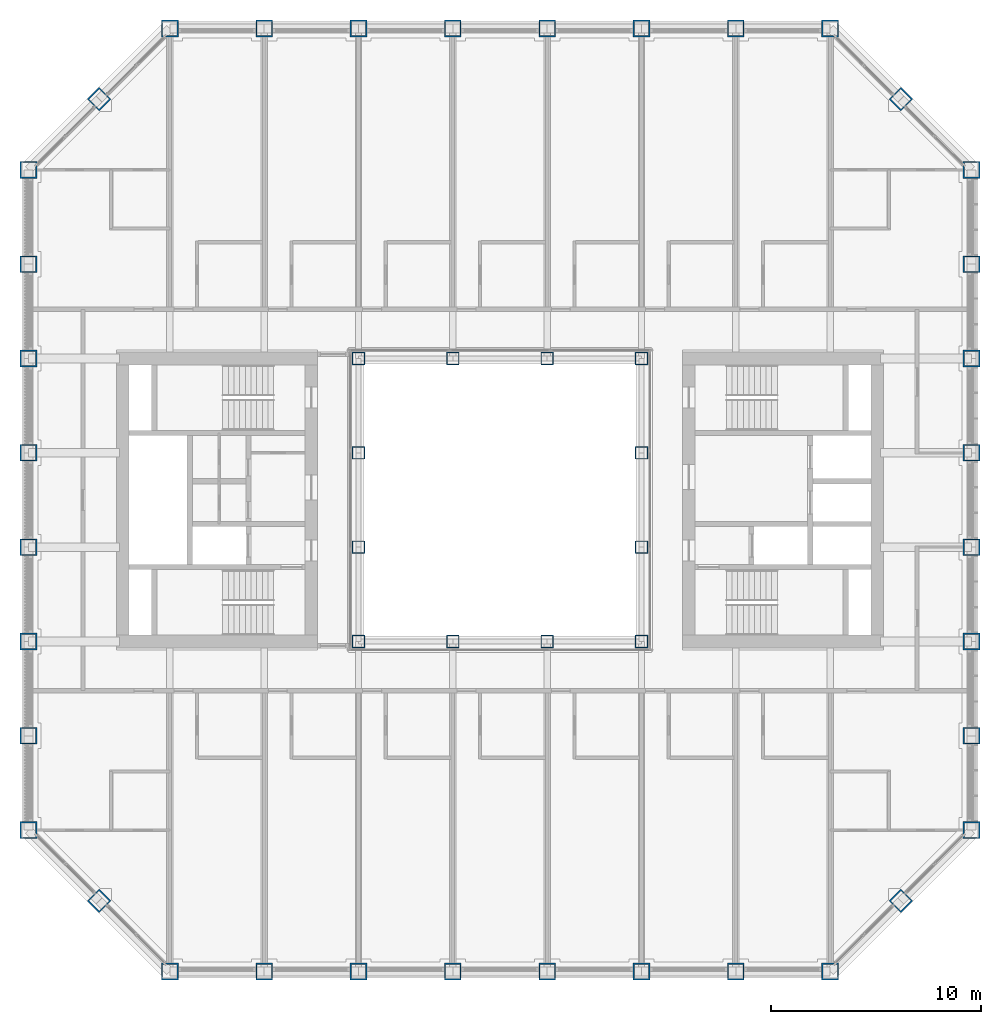
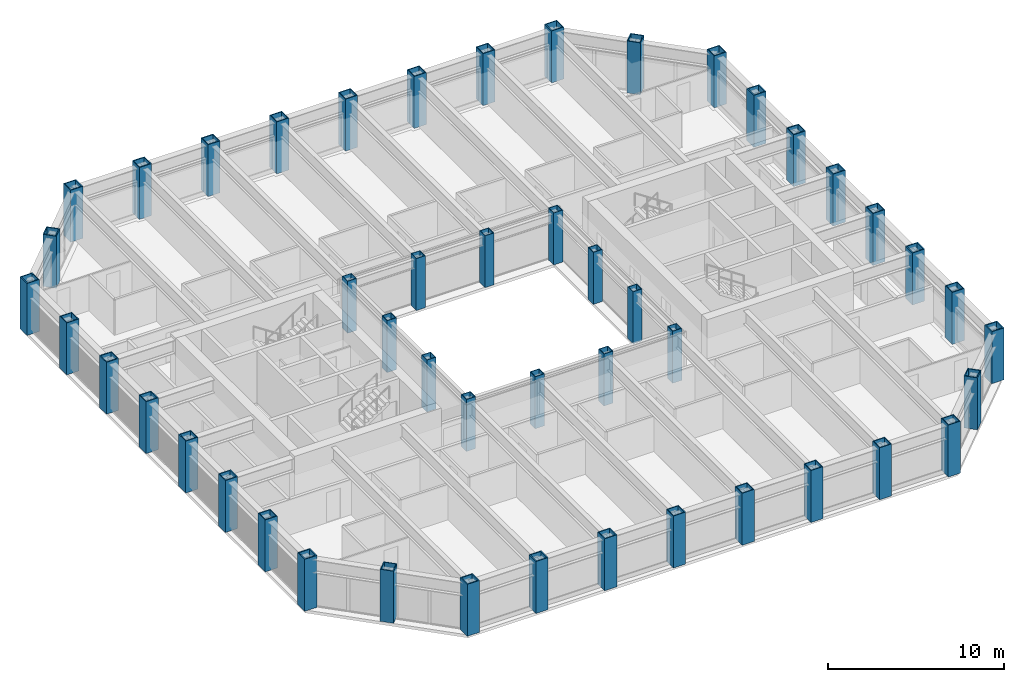
# One storey, part 1 of 18: 48 columns.
"""IFC4 building model written with IfcOpenShell, lengths in metres."""

from ifc_helpers import new_model, si_unit, direction, frame, origin, origin_2d, place, context, subcontext, project, spatial, hollow_rectangle, extrude, material, material_profile, profile_set, type_object, element, save


model = new_model("IFC4")

# Units and contexts
model_context = context("Model", 3, precision=1e-05, world=origin(), true_north=direction((0.0, 1.0)))
body_context = subcontext(model_context, "Body", "Model", "MODEL_VIEW")
ifc_project = project(units=[si_unit("LENGTHUNIT", "METRE"), si_unit("AREAUNIT", "SQUARE_METRE"), si_unit("VOLUMEUNIT", "CUBIC_METRE"), si_unit("PLANEANGLEUNIT", "RADIAN"), si_unit("MASSUNIT", "GRAM", prefix="KILO")], contexts=[model_context])

# Site, building, storey
site_placement = place(None, origin())
site = spatial("IfcSite", under=ifc_project, at=site_placement, CompositionType="ELEMENT")
building_placement = place(site_placement, origin())
building = spatial("IfcBuilding", under=site, at=building_placement, Name="Msasa Ring Tower", CompositionType="ELEMENT")
storey_placement = place(building_placement, frame((0.0, 0.0, 125.60009765625)))
storey = spatial("IfcBuildingStorey", under=building, at=storey_placement, Name="L32", CompositionType="ELEMENT", Elevation=125.60009765625)

# Columns
ifc_material_1 = material(Name="Steel S355", Category="steel")
ifc_material_profile_1 = material_profile(ifc_material_1, hollow_rectangle(XDim=0.60009765625, YDim=0.60009765625, WallThickness=0.0400390625, at=origin_2d()), Name="BOX 600x600x40")
ifc_profile_set_1 = profile_set([ifc_material_profile_1], Name="Steel S355")
column_type_1 = type_object("IfcColumnType", Name="IC4 BOX 600x600x40", PredefinedType="COLUMN", material=ifc_profile_set_1)
for number, where, z_axis, x_axis, name in (
    (1, (-6.75, -6.75, 0.0), (0.0, 0.0, 1.0), (1.0, 0.0, 0.0), "Inner ring column IR-6.75-6.75 L32"),
    (2, (-6.75, -2.25, 0.0), (0.0, 0.0, 1.0), (1.0, 0.0, 0.0), "Inner ring column IR-6.75-2.25 L32"),
    (3, (-6.75, 2.25, 0.0), (0.0, 0.0, 1.0), (1.0, 0.0, 0.0), "Inner ring column IR-6.75+2.25 L32"),
    (4, (-6.75, 6.75, 0.0), (0.0, 0.0, 1.0), (1.0, 0.0, 0.0), "Inner ring column IR-6.75+6.75 L32"),
    (5, (-2.25, -6.75, 0.0), (0.0, 0.0, 1.0), (1.0, 0.0, 0.0), "Inner ring column IR-2.25-6.75 L32"),
    (6, (-2.25, 6.75, 0.0), (0.0, 0.0, 1.0), (1.0, 0.0, 0.0), "Inner ring column IR-2.25+6.75 L32"),
    (7, (2.25, -6.75, 0.0), (0.0, 0.0, 1.0), (1.0, 0.0, 0.0), "Inner ring column IR+2.25-6.75 L32"),
    (8, (2.25, 6.75, 0.0), (0.0, 0.0, 1.0), (1.0, 0.0, 0.0), "Inner ring column IR+2.25+6.75 L32"),
    (9, (6.75, -6.75, 0.0), (0.0, 0.0, 1.0), (1.0, 0.0, 0.0), "Inner ring column IR+6.75-6.75 L32"),
    (10, (6.75, -2.25, 0.0), (0.0, 0.0, 1.0), (1.0, 0.0, 0.0), "Inner ring column IR+6.75-2.25 L32"),
    (11, (6.75, 2.25, 0.0), (0.0, 0.0, 1.0), (1.0, 0.0, 0.0), "Inner ring column IR+6.75+2.25 L32"),
    (12, (6.75, 6.75, 0.0), (0.0, 0.0, 1.0), (1.0, 0.0, 0.0), "Inner ring column IR+6.75+6.75 L32"),
):
    element("IfcColumn", number, at=place(storey_placement, frame(where, z_axis=z_axis, x_axis=x_axis)), inside=storey, type_object=column_type_1, Name=name, PredefinedType="COLUMN", context=body_context, shape_type="SweptSolid", body=[
        extrude(hollow_rectangle(XDim=0.60009765625, YDim=0.60009765625, WallThickness=0.0400390625, at=origin_2d()), origin(), (0.0, 0.0, 1.0), 3.599853515625),
    ])
ifc_material_2 = material(Name="Steel S355", Category="steel")
ifc_material_profile_2 = material_profile(ifc_material_2, hollow_rectangle(XDim=0.800048828125, YDim=0.800048828125, WallThickness=0.06005859375, at=origin_2d()), Name="BOX 800x800x60")
ifc_profile_set_2 = profile_set([ifc_material_profile_2], Name="Steel S355")
column_type_2 = type_object("IfcColumnType", Name="TC3 BOX 800x800x60", PredefinedType="COLUMN", material=ifc_profile_set_2)
for number, where, z_axis, x_axis, name in (
    (13, (-15.75, -22.5, 0.0), (0.0, 0.0, 1.0), (0.0, 1.0, 0.0), "Tube column S-15.75 L32"),
    (14, (-15.75, 22.5, 0.0), (0.0, 0.0, 1.0), (0.0, 1.0, 0.0), "Tube column N-15.75 L32"),
    (15, (22.5, -15.75, 0.0), (0.0, 0.0, 1.0), (1.0, 0.0, 0.0), "Tube column E-15.75 L32"),
    (16, (-22.5, -15.75, 0.0), (0.0, 0.0, 1.0), (1.0, 0.0, 0.0), "Tube column W-15.75 L32"),
    (17, (-11.25, -22.5, 0.0), (0.0, 0.0, 1.0), (0.0, 1.0, 0.0), "Tube column S-11.25 L32"),
    (18, (-11.25, 22.5, 0.0), (0.0, 0.0, 1.0), (0.0, 1.0, 0.0), "Tube column N-11.25 L32"),
    (19, (22.5, -11.25, 0.0), (0.0, 0.0, 1.0), (1.0, 0.0, 0.0), "Tube column E-11.25 L32"),
    (20, (-22.5, -11.25, 0.0), (0.0, 0.0, 1.0), (1.0, 0.0, 0.0), "Tube column W-11.25 L32"),
    (21, (-6.75, -22.5, 0.0), (0.0, 0.0, 1.0), (0.0, 1.0, 0.0), "Tube column S-6.75 L32"),
    (22, (-6.75, 22.5, 0.0), (0.0, 0.0, 1.0), (0.0, 1.0, 0.0), "Tube column N-6.75 L32"),
    (23, (22.5, -6.75, 0.0), (0.0, 0.0, 1.0), (1.0, 0.0, 0.0), "Tube column E-6.75 L32"),
    (24, (-22.5, -6.75, 0.0), (0.0, 0.0, 1.0), (1.0, 0.0, 0.0), "Tube column W-6.75 L32"),
    (25, (-2.25, -22.5, 0.0), (0.0, 0.0, 1.0), (0.0, 1.0, 0.0), "Tube column S-2.25 L32"),
    (26, (-2.25, 22.5, 0.0), (0.0, 0.0, 1.0), (0.0, 1.0, 0.0), "Tube column N-2.25 L32"),
    (27, (22.5, -2.25, 0.0), (0.0, 0.0, 1.0), (1.0, 0.0, 0.0), "Tube column E-2.25 L32"),
    (28, (-22.5, -2.25, 0.0), (0.0, 0.0, 1.0), (1.0, 0.0, 0.0), "Tube column W-2.25 L32"),
    (29, (2.25, -22.5, 0.0), (0.0, 0.0, 1.0), (0.0, 1.0, 0.0), "Tube column S+2.25 L32"),
    (30, (2.25, 22.5, 0.0), (0.0, 0.0, 1.0), (0.0, 1.0, 0.0), "Tube column N+2.25 L32"),
    (31, (22.5, 2.25, 0.0), (0.0, 0.0, 1.0), (1.0, 0.0, 0.0), "Tube column E+2.25 L32"),
    (32, (-22.5, 2.25, 0.0), (0.0, 0.0, 1.0), (1.0, 0.0, 0.0), "Tube column W+2.25 L32"),
    (33, (6.75, -22.5, 0.0), (0.0, 0.0, 1.0), (0.0, 1.0, 0.0), "Tube column S+6.75 L32"),
    (34, (6.75, 22.5, 0.0), (0.0, 0.0, 1.0), (0.0, 1.0, 0.0), "Tube column N+6.75 L32"),
    (35, (22.5, 6.75, 0.0), (0.0, 0.0, 1.0), (1.0, 0.0, 0.0), "Tube column E+6.75 L32"),
    (36, (-22.5, 6.75, 0.0), (0.0, 0.0, 1.0), (1.0, 0.0, 0.0), "Tube column W+6.75 L32"),
    (37, (11.25, -22.5, 0.0), (0.0, 0.0, 1.0), (0.0, 1.0, 0.0), "Tube column S+11.25 L32"),
    (38, (11.25, 22.5, 0.0), (0.0, 0.0, 1.0), (0.0, 1.0, 0.0), "Tube column N+11.25 L32"),
    (39, (22.5, 11.25, 0.0), (0.0, 0.0, 1.0), (1.0, 0.0, 0.0), "Tube column E+11.25 L32"),
    (40, (-22.5, 11.25, 0.0), (0.0, 0.0, 1.0), (1.0, 0.0, 0.0), "Tube column W+11.25 L32"),
    (41, (15.75, -22.5, 0.0), (0.0, 0.0, 1.0), (0.0, 1.0, 0.0), "Tube column S+15.75 L32"),
    (42, (15.75, 22.5, 0.0), (0.0, 0.0, 1.0), (0.0, 1.0, 0.0), "Tube column N+15.75 L32"),
    (43, (22.5, 15.75, 0.0), (0.0, 0.0, 1.0), (1.0, 0.0, 0.0), "Tube column E+15.75 L32"),
    (44, (-22.5, 15.75, 0.0), (0.0, 0.0, 1.0), (1.0, 0.0, 0.0), "Tube column W+15.75 L32"),
    (45, (19.125, -19.125, 0.0), (0.0, 0.0, 1.0), (0.707106781187, -0.707106781187, 0.0), "Tube column SE L32"),
    (46, (19.125, 19.125, 0.0), (0.0, 0.0, 1.0), (0.707106781187, 0.707106781187, 0.0), "Tube column NE L32"),
    (47, (-19.125, 19.125, 0.0), (0.0, 0.0, 1.0), (0.707106781187, -0.707106781187, 0.0), "Tube column NW L32"),
    (48, (-19.125, -19.125, 0.0), (0.0, 0.0, 1.0), (0.707106781187, 0.707106781187, 0.0), "Tube column SW L32"),
):
    element("IfcColumn", number, at=place(storey_placement, frame(where, z_axis=z_axis, x_axis=x_axis)), inside=storey, type_object=column_type_2, Name=name, PredefinedType="COLUMN", context=body_context, shape_type="SweptSolid", body=[
        extrude(hollow_rectangle(XDim=0.800048828125, YDim=0.800048828125, WallThickness=0.06005859375, at=origin_2d()), origin(), (0.0, 0.0, 1.0), 3.599853515625),
    ])

save(model, "model.ifc")
